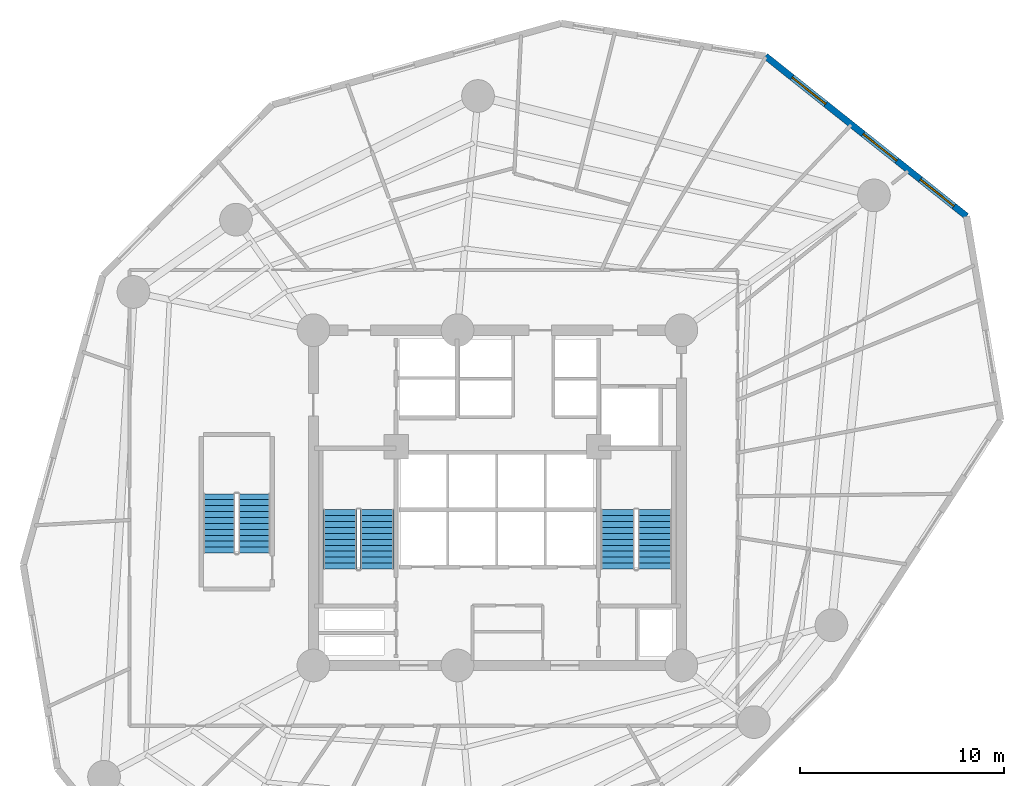
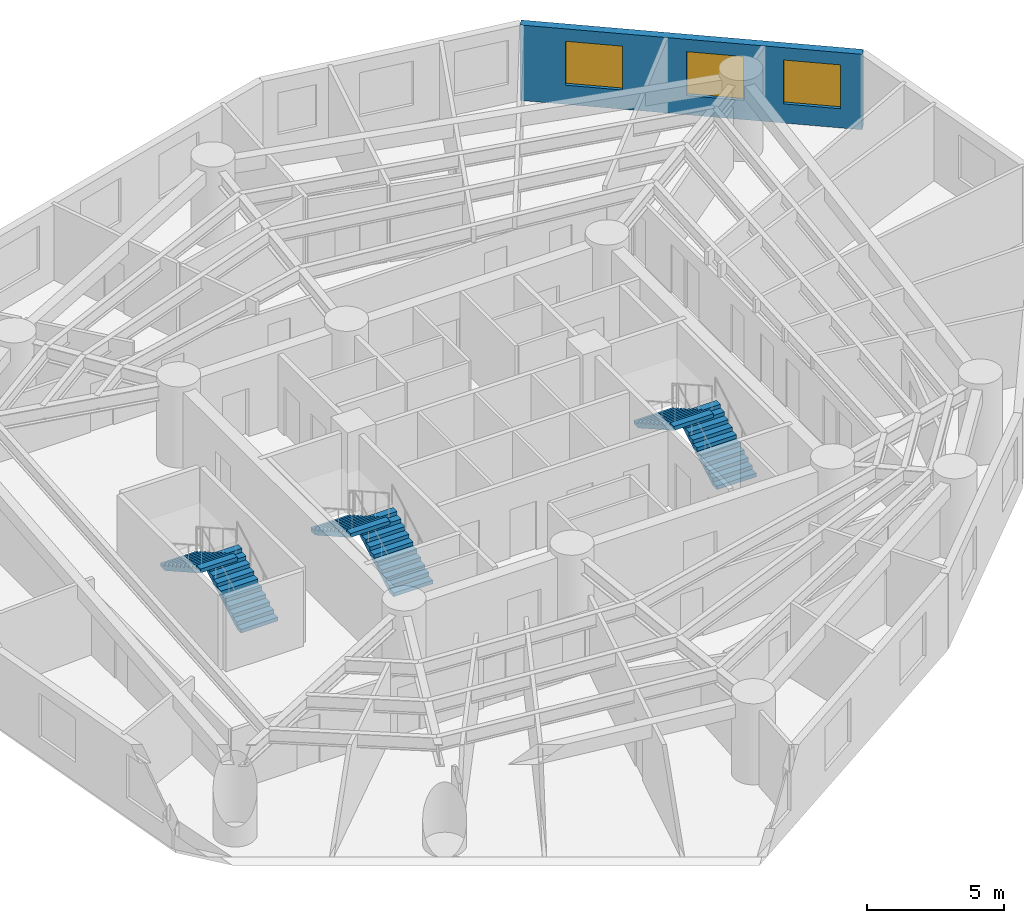
# One storey, part 7 of 8: 6 stair flights, 3 windows, 1 wall, 3 openings, 3 elements without a shape of their own.
"""IFC4 building model written with IfcOpenShell, lengths in metres."""

from ifc_helpers import new_model, si_unit, direction, frame, frame_2d, origin, origin_with_axes, place, context, subcontext, project, spatial, polyline, rectangle, outline, extrude, source, transform, mapped, material, layer, layer_set, type_object, element, fill, aggregate, save


model = new_model("IFC4")

# Units and contexts
model_context = context("Model", 3, precision=1e-05, world=origin(), true_north=direction((0.0, 1.0)))
body_context = subcontext(model_context, "Body", "Model", "MODEL_VIEW")
ifc_project = project(units=[si_unit("LENGTHUNIT", "METRE"), si_unit("AREAUNIT", "SQUARE_METRE"), si_unit("VOLUMEUNIT", "CUBIC_METRE"), si_unit("PLANEANGLEUNIT", "RADIAN"), si_unit("MASSUNIT", "GRAM", prefix="KILO")], contexts=[model_context])

# Site, building, storey
site_placement = place(None, origin())
site = spatial("IfcSite", under=ifc_project, at=site_placement, CompositionType="ELEMENT")
building_placement = place(site_placement, origin())
building = spatial("IfcBuilding", under=site, at=building_placement, Name="Karkom Vertical University and Central Library", CompositionType="ELEMENT")
storey_placement = place(building_placement, frame((0.0, 0.0, 73.300048828125)))
storey = spatial("IfcBuildingStorey", under=building, at=storey_placement, Name="L19", CompositionType="ELEMENT", Elevation=73.300048828125)

# Wall, openings, windows
ifc_material_1 = material(Name="Brick-faced precast concrete C45/55", Category="masonry")
ifc_layer = layer(ifc_material_1, 0.320068359375)
ifc_layer_set = layer_set([ifc_layer], Name="Brick-faced precast concrete C45/55")
wall_type = type_object("IfcWallType", Name="ENV-WL-BRK-320", PredefinedType="SOLIDWALL", material=ifc_layer_set)
wall_placement = place(storey_placement, frame((51.452880859375, 40.276123046875, 0.0), z_axis=(0.0, 0.0, 1.0), x_axis=(-0.782431743724, 0.622736353856, 0.0)))
wall = element("IfcWall", 1, at=wall_placement, inside=storey, type_object=wall_type, Name="Level 19 Brick-Faced Precast Facade Wall 10", PredefinedType="SOLIDWALL", context=body_context, shape_type="SweptSolid", body=[
    extrude(rectangle(XDim=12.58349609375, YDim=0.320068359375, at=frame_2d((6.291748046875, 0.0))), origin(), (0.0, 0.0, 1.0), 3.349853515625),
])
opening_1_placement = place(wall_placement, frame((0.790283203125, 0.0, 0.85009765625)))
opening_1 = element("IfcOpeningElement", 2, at=opening_1_placement, cuts=wall, Name="Opening WN-03", PredefinedType="OPENING", context=body_context, shape_type="SweptSolid", body=[
    extrude(rectangle(XDim=2.10009765625, YDim=1.949951171875, at=frame_2d((1.050048828125, 0.97509765625))), frame((0.0, 0.169921875, 0.0), z_axis=(0.0, -1.0, 0.0), x_axis=(1.0, 0.0, 0.0)), (0.0, 0.0, 1.0), 0.340087890625),
])
opening_2_placement = place(wall_placement, frame((4.362548828125, 0.0, 0.85009765625)))
opening_2 = element("IfcOpeningElement", 3, at=opening_2_placement, cuts=wall, Name="Opening WN-03", PredefinedType="OPENING", context=body_context, shape_type="SweptSolid", body=[
    extrude(rectangle(XDim=2.10009765625, YDim=1.949951171875, at=frame_2d((1.050048828125, 0.97509765625))), frame((0.0, 0.169921875, 0.0), z_axis=(0.0, -1.0, 0.0), x_axis=(1.0, 0.0, 0.0)), (0.0, 0.0, 1.0), 0.340087890625),
])
opening_3_placement = place(wall_placement, frame((8.814208984375, 0.0, 0.85009765625)))
opening_3 = element("IfcOpeningElement", 4, at=opening_3_placement, cuts=wall, Name="Opening WN-03", PredefinedType="OPENING", context=body_context, shape_type="SweptSolid", body=[
    extrude(rectangle(XDim=2.10009765625, YDim=1.949951171875, at=frame_2d((1.050048828125, 0.97509765625))), frame((0.0, 0.169921875, 0.0), z_axis=(0.0, -1.0, 0.0), x_axis=(1.0, 0.0, 0.0)), (0.0, 0.0, 1.0), 0.340087890625),
])
ifc_material_2 = material(Name="Aluminium thermal-break frame with solar-control IGU", Category="aluminium")
window_type = type_object("IfcWindowType", Name="ENV-WIN-WN-03", PartitioningType="SINGLE_PANEL", PredefinedType="WINDOW", material=ifc_material_2)
shared_shape = source(origin_with_axes(), body_context, "Body", "SweptSolid", [
    extrude(rectangle(XDim=2.10009765625, YDim=1.949951171875, at=frame_2d((1.050048828125, 0.97509765625))), frame((0.0, 0.030029296875, 0.0), z_axis=(0.0, -1.0, 0.0), x_axis=(1.0, 0.0, 0.0)), (0.0, 0.0, 1.0), 0.06005859375),
])
window_1_placement = place(opening_1_placement, origin())
window_1 = element("IfcWindow", 5, at=window_1_placement, inside=storey, type_object=window_type, Name="Level 19 Punched Window 10.1", OverallHeight=1.949951171875, OverallWidth=2.10009765625, PartitioningType="SINGLE_PANEL", PredefinedType="WINDOW", context=body_context, shape_type="MappedRepresentation", body=[
    mapped(shared_shape, transform((0.0, 0.0, 0.0), scale=1.0)),
])
fill(opening_1, window_1)
window_2_placement = place(opening_2_placement, origin())
window_2 = element("IfcWindow", 6, at=window_2_placement, inside=storey, type_object=window_type, Name="Level 19 Punched Window 10.2", OverallHeight=1.949951171875, OverallWidth=2.10009765625, PartitioningType="SINGLE_PANEL", PredefinedType="WINDOW", context=body_context, shape_type="MappedRepresentation", body=[
    mapped(shared_shape, transform((0.0, 0.0, 0.0), scale=1.0)),
])
fill(opening_2, window_2)
window_3_placement = place(opening_3_placement, origin())
window_3 = element("IfcWindow", 7, at=window_3_placement, inside=storey, type_object=window_type, Name="Level 19 Punched Window 10.3", OverallHeight=1.949951171875, OverallWidth=2.10009765625, PartitioningType="SINGLE_PANEL", PredefinedType="WINDOW", context=body_context, shape_type="MappedRepresentation", body=[
    mapped(shared_shape, transform((0.0, 0.0, 0.0), scale=1.0)),
])
fill(opening_3, window_3)

# Stair, stair flights
ifc_material_3 = material(Name="Concrete C45/55", Category="concrete")
stair_type_1 = type_object("IfcStairType", Name="INT-STR-ST-MAIN", PredefinedType="HALF_TURN_STAIR", material=ifc_material_3)
stair_1_placement = place(storey_placement, origin())
stair_1 = element("IfcStair", 8, at=stair_1_placement, inside=storey, type_object=stair_type_1, Name="Level 19 Tower Protected Exit Stair ST-1", PredefinedType="HALF_TURN_STAIR")
stair_flight_type_1 = type_object("IfcStairFlightType", Name="INT-SFL-ST-MAIN", PredefinedType="STRAIGHT", material=ifc_material_3)
stair_flight_1_placement = place(storey_placement, frame((22.614990234375, 23.02001953125, 0.0), z_axis=(0.0, 0.0, 1.0), x_axis=(0.0, 1.0, 0.0)))
stair_flight_1 = element("IfcStairFlight", 9, at=stair_flight_1_placement, type_object=stair_flight_type_1, Name="ST-1 flight 1", NumberOfRisers=11, NumberOfTreads=10, PredefinedType="STRAIGHT", RiserHeight=0.163636364, TreadLength=0.29, context=body_context, shape_type="SweptSolid", body=[
    extrude(outline(polyline([(0.0, 0.0), (0.0, 0.16357421875), (0.2900390625, 0.16357421875), (0.2900390625, 0.327392578125), (0.580078125, 0.327392578125), (0.580078125, 0.490966796875), (0.8701171875, 0.490966796875), (0.8701171875, 0.654541015625), (1.159912109375, 0.654541015625), (1.159912109375, 0.818115234375), (1.449951171875, 0.818115234375), (1.449951171875, 0.98193359375), (1.739990234375, 0.98193359375), (1.739990234375, 1.1455078125), (2.030029296875, 1.1455078125), (2.030029296875, 1.30908203125), (2.320068359375, 1.30908203125), (2.320068359375, 1.47265625), (2.610107421875, 1.47265625), (2.610107421875, 1.636474609375), (2.89990234375, 1.636474609375), (2.89990234375, 1.800048828125), (2.89990234375, 1.46435546875), (0.304931640625, 0.0), (0.0, 0.0)])), frame((0.0, 0.824951171875, 0.0), z_axis=(0.0, -1.0, 0.0), x_axis=(1.0, 0.0, 0.0)), (0.0, 0.0, 1.0), 1.64990234375),
])
stair_flight_2_placement = place(storey_placement, frame((20.804931640625, 25.919921875, 1.800048828125), z_axis=(0.0, 0.0, 1.0), x_axis=(0.0, -1.0, 0.0)))
stair_flight_2 = element("IfcStairFlight", 10, at=stair_flight_2_placement, type_object=stair_flight_type_1, Name="ST-1 flight 2", NumberOfRisers=11, NumberOfTreads=10, PredefinedType="STRAIGHT", RiserHeight=0.163636364, TreadLength=0.29, context=body_context, shape_type="SweptSolid", body=[
    extrude(outline(polyline([(0.0, 0.0), (0.0, 0.16357421875), (0.2900390625, 0.16357421875), (0.2900390625, 0.327392578125), (0.580078125, 0.327392578125), (0.580078125, 0.490966796875), (0.8701171875, 0.490966796875), (0.8701171875, 0.654541015625), (1.159912109375, 0.654541015625), (1.159912109375, 0.818115234375), (1.449951171875, 0.818115234375), (1.449951171875, 0.98193359375), (1.739990234375, 0.98193359375), (1.739990234375, 1.1455078125), (2.030029296875, 1.1455078125), (2.030029296875, 1.30908203125), (2.320068359375, 1.30908203125), (2.320068359375, 1.47265625), (2.610107421875, 1.47265625), (2.610107421875, 1.636474609375), (2.89990234375, 1.636474609375), (2.89990234375, 1.800048828125), (2.89990234375, 1.46435546875), (0.304931640625, 0.0), (0.0, 0.0)])), frame((0.0, 0.824951171875, 0.0), z_axis=(0.0, -1.0, 0.0), x_axis=(1.0, 0.0, 0.0)), (0.0, 0.0, 1.0), 1.64990234375),
])
aggregate(stair_1, [stair_flight_1, stair_flight_2])

stair_2_placement = place(storey_placement, origin())
stair_2 = element("IfcStair", 11, at=stair_2_placement, inside=storey, type_object=stair_type_1, Name="Level 19 Tower Protected Exit Stair ST-2", PredefinedType="HALF_TURN_STAIR")
stair_flight_3_placement = place(storey_placement, frame((36.195068359375, 23.02001953125, 0.0), z_axis=(0.0, 0.0, 1.0), x_axis=(0.0, 1.0, 0.0)))
stair_flight_3 = element("IfcStairFlight", 12, at=stair_flight_3_placement, type_object=stair_flight_type_1, Name="ST-2 flight 1", NumberOfRisers=11, NumberOfTreads=10, PredefinedType="STRAIGHT", RiserHeight=0.163636364, TreadLength=0.29, context=body_context, shape_type="SweptSolid", body=[
    extrude(outline(polyline([(0.0, 0.0), (0.0, 0.16357421875), (0.2900390625, 0.16357421875), (0.2900390625, 0.327392578125), (0.580078125, 0.327392578125), (0.580078125, 0.490966796875), (0.8701171875, 0.490966796875), (0.8701171875, 0.654541015625), (1.159912109375, 0.654541015625), (1.159912109375, 0.818115234375), (1.449951171875, 0.818115234375), (1.449951171875, 0.98193359375), (1.739990234375, 0.98193359375), (1.739990234375, 1.1455078125), (2.030029296875, 1.1455078125), (2.030029296875, 1.30908203125), (2.320068359375, 1.30908203125), (2.320068359375, 1.47265625), (2.610107421875, 1.47265625), (2.610107421875, 1.636474609375), (2.89990234375, 1.636474609375), (2.89990234375, 1.800048828125), (2.89990234375, 1.46435546875), (0.304931640625, 0.0), (0.0, 0.0)])), frame((0.0, 0.824951171875, 0.0), z_axis=(0.0, -1.0, 0.0), x_axis=(1.0, 0.0, 0.0)), (0.0, 0.0, 1.0), 1.64990234375),
])
stair_flight_4_placement = place(storey_placement, frame((34.385009765625, 25.919921875, 1.800048828125), z_axis=(0.0, 0.0, 1.0), x_axis=(0.0, -1.0, 0.0)))
stair_flight_4 = element("IfcStairFlight", 13, at=stair_flight_4_placement, type_object=stair_flight_type_1, Name="ST-2 flight 2", NumberOfRisers=11, NumberOfTreads=10, PredefinedType="STRAIGHT", RiserHeight=0.163636364, TreadLength=0.29, context=body_context, shape_type="SweptSolid", body=[
    extrude(outline(polyline([(0.0, 0.0), (0.0, 0.16357421875), (0.2900390625, 0.16357421875), (0.2900390625, 0.327392578125), (0.580078125, 0.327392578125), (0.580078125, 0.490966796875), (0.8701171875, 0.490966796875), (0.8701171875, 0.654541015625), (1.159912109375, 0.654541015625), (1.159912109375, 0.818115234375), (1.449951171875, 0.818115234375), (1.449951171875, 0.98193359375), (1.739990234375, 0.98193359375), (1.739990234375, 1.1455078125), (2.030029296875, 1.1455078125), (2.030029296875, 1.30908203125), (2.320068359375, 1.30908203125), (2.320068359375, 1.47265625), (2.610107421875, 1.47265625), (2.610107421875, 1.636474609375), (2.89990234375, 1.636474609375), (2.89990234375, 1.800048828125), (2.89990234375, 1.46435546875), (0.304931640625, 0.0), (0.0, 0.0)])), frame((0.0, 0.824951171875, 0.0), z_axis=(0.0, -1.0, 0.0), x_axis=(1.0, 0.0, 0.0)), (0.0, 0.0, 1.0), 1.64990234375),
])
aggregate(stair_2, [stair_flight_3, stair_flight_4])

stair_type_2 = type_object("IfcStairType", Name="INT-STR-ST-SEC", PredefinedType="HALF_TURN_STAIR", material=ifc_material_3)
stair_3_placement = place(storey_placement, origin())
stair_3 = element("IfcStair", 14, at=stair_3_placement, inside=storey, type_object=stair_type_2, Name="Level 19 Academic Zone Protected Exit Stair ST-3", PredefinedType="HALF_TURN_STAIR")
stair_flight_type_2 = type_object("IfcStairFlightType", Name="INT-SFL-ST-SEC", PredefinedType="STRAIGHT", material=ifc_material_3)
stair_flight_5_placement = place(storey_placement, frame((16.60498046875, 23.800048828125, 0.0), z_axis=(0.0, 0.0, 1.0), x_axis=(0.0, 1.0, 0.0)))
stair_flight_5 = element("IfcStairFlight", 15, at=stair_flight_5_placement, type_object=stair_flight_type_2, Name="ST-3 flight 1", NumberOfRisers=11, NumberOfTreads=10, PredefinedType="STRAIGHT", RiserHeight=0.163636364, TreadLength=0.29, context=body_context, shape_type="SweptSolid", body=[
    extrude(outline(polyline([(0.0, 0.0), (0.0, 0.16357421875), (0.2900390625, 0.16357421875), (0.2900390625, 0.327392578125), (0.580078125, 0.327392578125), (0.580078125, 0.490966796875), (0.8701171875, 0.490966796875), (0.8701171875, 0.654541015625), (1.159912109375, 0.654541015625), (1.159912109375, 0.818115234375), (1.449951171875, 0.818115234375), (1.449951171875, 0.98193359375), (1.739990234375, 0.98193359375), (1.739990234375, 1.1455078125), (2.030029296875, 1.1455078125), (2.030029296875, 1.30908203125), (2.320068359375, 1.30908203125), (2.320068359375, 1.47265625), (2.610107421875, 1.47265625), (2.610107421875, 1.636474609375), (2.89990234375, 1.636474609375), (2.89990234375, 1.800048828125), (2.89990234375, 1.46435546875), (0.304931640625, 0.0), (0.0, 0.0)])), frame((0.0, 0.77490234375, 0.0), z_axis=(0.0, -1.0, 0.0), x_axis=(1.0, 0.0, 0.0)), (0.0, 0.0, 1.0), 1.550048828125),
])
stair_flight_6_placement = place(storey_placement, frame((14.89501953125, 26.699951171875, 1.800048828125), z_axis=(0.0, 0.0, 1.0), x_axis=(0.0, -1.0, 0.0)))
stair_flight_6 = element("IfcStairFlight", 16, at=stair_flight_6_placement, type_object=stair_flight_type_2, Name="ST-3 flight 2", NumberOfRisers=11, NumberOfTreads=10, PredefinedType="STRAIGHT", RiserHeight=0.163636364, TreadLength=0.29, context=body_context, shape_type="SweptSolid", body=[
    extrude(outline(polyline([(0.0, 0.0), (0.0, 0.16357421875), (0.2900390625, 0.16357421875), (0.2900390625, 0.327392578125), (0.580078125, 0.327392578125), (0.580078125, 0.490966796875), (0.8701171875, 0.490966796875), (0.8701171875, 0.654541015625), (1.159912109375, 0.654541015625), (1.159912109375, 0.818115234375), (1.449951171875, 0.818115234375), (1.449951171875, 0.98193359375), (1.739990234375, 0.98193359375), (1.739990234375, 1.1455078125), (2.030029296875, 1.1455078125), (2.030029296875, 1.30908203125), (2.320068359375, 1.30908203125), (2.320068359375, 1.47265625), (2.610107421875, 1.47265625), (2.610107421875, 1.636474609375), (2.89990234375, 1.636474609375), (2.89990234375, 1.800048828125), (2.89990234375, 1.46435546875), (0.304931640625, 0.0), (0.0, 0.0)])), frame((0.0, 0.77490234375, 0.0), z_axis=(0.0, -1.0, 0.0), x_axis=(1.0, 0.0, 0.0)), (0.0, 0.0, 1.0), 1.550048828125),
])
aggregate(stair_3, [stair_flight_5, stair_flight_6])

save(model, "model.ifc")
